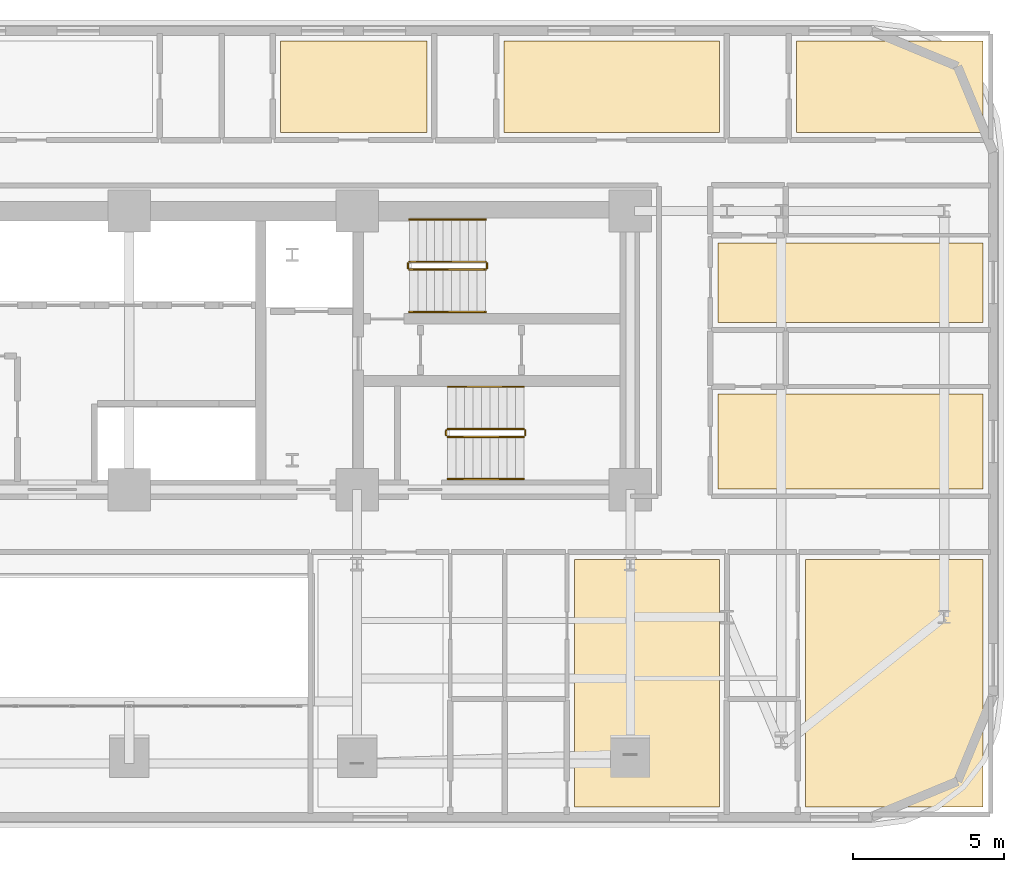
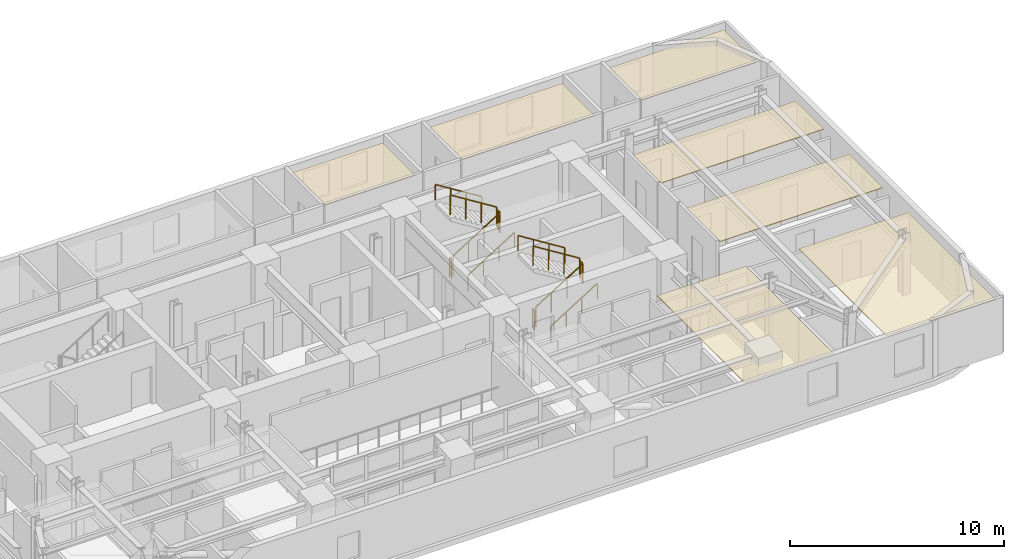
# One storey, part 16 of 16: 12 railings, 7 coverings.
"""IFC4 building model written with IfcOpenShell, lengths in metres."""

from ifc_helpers import new_model, si_unit, direction, frame, origin, origin_2d, place, context, subcontext, project, spatial, polyline, rectangle, outline, extrude, material, layer, layer_set, type_object, element, save


model = new_model("IFC4")

# Units and contexts
model_context = context("Model", 3, precision=1e-05, world=origin(), true_north=direction((0.0, 1.0)))
body_context = subcontext(model_context, "Body", "Model", "MODEL_VIEW")
ifc_project = project(units=[si_unit("LENGTHUNIT", "METRE"), si_unit("AREAUNIT", "SQUARE_METRE"), si_unit("VOLUMEUNIT", "CUBIC_METRE"), si_unit("PLANEANGLEUNIT", "RADIAN"), si_unit("MASSUNIT", "GRAM", prefix="KILO")], contexts=[model_context])

# Site, building, storey
site_placement = place(None, origin())
site = spatial("IfcSite", under=ifc_project, at=site_placement, CompositionType="ELEMENT")
building_placement = place(site_placement, origin())
building = spatial("IfcBuilding", under=site, at=building_placement, Name="Zarnavel Station Tower", CompositionType="ELEMENT")
storey_placement = place(building_placement, frame((0.0, 0.0, 79.300048828125)))
storey = spatial("IfcBuildingStorey", under=building, at=storey_placement, Name="L21", CompositionType="ELEMENT", Elevation=79.300048828125)

# Coverings
ifc_material_1 = material(Name="Perforated Gypsum and Mineral-Wool Acoustic Ceiling", Category="concrete")
ifc_layer = layer(ifc_material_1, 0.0400390625)
ifc_layer_set = layer_set([ifc_layer], Name="COV_CEIL_ACOUSTIC")
covering_type = type_object("IfcCoveringType", Name="COV_CEIL_ACOUSTIC", PredefinedType="CEILING", material=ifc_layer_set)
covering_1_placement = place(storey_placement, frame((0.0, 0.0, 2.919921875)))
element("IfcCovering", 1, at=covering_1_placement, inside=storey, type_object=covering_type, Name="L21 FNE1R Acoustic Ceiling", PredefinedType="CEILING", context=body_context, shape_type="SweptSolid", body=[
    extrude(outline(polyline([(48.300048828125, 27.85009765625), (57.090087890625, 27.85009765625), (57.090087890625, 30.986083984375), (48.300048828125, 30.986083984375), (48.300048828125, 27.85009765625)])), origin(), (0.0, 0.0, 1.0), 0.0400390625),
])
covering_2_placement = place(storey_placement, frame((0.0, 0.0, 2.919921875)))
element("IfcCovering", 2, at=covering_2_placement, inside=storey, type_object=covering_type, Name="L21 FNE2R Acoustic Ceiling", PredefinedType="CEILING", context=body_context, shape_type="SweptSolid", body=[
    extrude(outline(polyline([(48.300048828125, 33.35888671875), (57.090087890625, 33.35888671875), (57.090087890625, 36.0), (48.300048828125, 36.0), (48.300048828125, 33.35888671875)])), origin(), (0.0, 0.0, 1.0), 0.0400390625),
])
covering_3_placement = place(storey_placement, frame((0.0, 0.0, 2.919921875)))
element("IfcCovering", 3, at=covering_3_placement, inside=storey, type_object=covering_type, Name="L21 HN3R Acoustic Ceiling", PredefinedType="CEILING", context=body_context, shape_type="SweptSolid", body=[
    extrude(outline(polyline([(33.804931640625, 39.64990234375), (38.657958984375, 39.64990234375), (38.657958984375, 42.68994140625), (33.804931640625, 42.68994140625), (33.804931640625, 39.64990234375)])), origin(), (0.0, 0.0, 1.0), 0.0400390625),
])
covering_4_placement = place(storey_placement, frame((0.0, 0.0, 2.919921875)))
element("IfcCovering", 4, at=covering_4_placement, inside=storey, type_object=covering_type, Name="L21 HN4R Acoustic Ceiling", PredefinedType="CEILING", context=body_context, shape_type="SweptSolid", body=[
    extrude(outline(polyline([(41.2080078125, 39.64990234375), (48.35009765625, 39.64990234375), (48.35009765625, 42.68994140625), (41.2080078125, 42.68994140625), (41.2080078125, 39.64990234375)])), origin(), (0.0, 0.0, 1.0), 0.0400390625),
])
covering_5_placement = place(storey_placement, frame((0.0, 0.0, 2.919921875)))
element("IfcCovering", 5, at=covering_5_placement, inside=storey, type_object=covering_type, Name="L21 HN5R Acoustic Ceiling", PredefinedType="CEILING", context=body_context, shape_type="SweptSolid", body=[
    extrude(outline(polyline([(50.89990234375, 39.64990234375), (57.090087890625, 39.64990234375), (57.090087890625, 42.68994140625), (50.89990234375, 42.68994140625), (50.89990234375, 39.64990234375)])), origin(), (0.0, 0.0, 1.0), 0.0400390625),
])
covering_6_placement = place(storey_placement, frame((0.0, 0.0, 2.919921875)))
element("IfcCovering", 6, at=covering_6_placement, inside=storey, type_object=covering_type, Name="L21 HE2R Acoustic Ceiling", PredefinedType="CEILING", context=body_context, shape_type="SweptSolid", body=[
    extrude(outline(polyline([(43.551025390625, 17.31005859375), (48.35009765625, 17.31005859375), (48.35009765625, 25.5), (43.551025390625, 25.5), (43.551025390625, 17.31005859375)])), origin(), (0.0, 0.0, 1.0), 0.0400390625),
])
covering_7_placement = place(storey_placement, frame((0.0, 0.0, 2.919921875)))
element("IfcCovering", 7, at=covering_7_placement, inside=storey, type_object=covering_type, Name="L21 HE3R Acoustic Ceiling", PredefinedType="CEILING", context=body_context, shape_type="SweptSolid", body=[
    extrude(outline(polyline([(51.199951171875, 17.31005859375), (57.090087890625, 17.31005859375), (57.090087890625, 25.5), (51.199951171875, 25.5), (51.199951171875, 17.31005859375)])), origin(), (0.0, 0.0, 1.0), 0.0400390625),
])

# Railings
ifc_material_2 = material(Name="Painted Steel S355J2 Balustrade", Category="steel")
railing_type_1 = type_object("IfcRailingType", Name="GR_INT_1150", PredefinedType="GUARDRAIL", material=ifc_material_2)
railing_1_placement = place(storey_placement, frame((38.080078125, 35.110107421875, 0.175048828125)))
element("IfcRailing", 8, at=railing_1_placement, inside=storey, type_object=railing_type_1, Name="L21 ST2 stair guard 1", PredefinedType="GUARDRAIL", context=body_context, shape_type="SweptSolid", body=[
    extrude(rectangle(XDim=0.048095703125, YDim=0.048095703125, at=origin_2d()), frame((0.001708984375, 0.0, 1.126953125), z_axis=(0.848007534815, 0.0, 0.529984170421), x_axis=(0.0, 1.0, 0.0)), (0.0, 0.0, 1.0), 2.9677734375),
    extrude(rectangle(XDim=0.0419921875, YDim=0.0419921875, at=origin_2d()), origin(), (0.0, 0.0, 1.0), 1.101806640625),
    extrude(rectangle(XDim=0.0419921875, YDim=0.0419921875, at=origin_2d()), frame((0.840087890625, 0.0, 0.52490234375)), (0.0, 0.0, 1.0), 1.101806640625),
    extrude(rectangle(XDim=0.0419921875, YDim=0.0419921875, at=origin_2d()), frame((1.679931640625, 0.0, 1.050048828125)), (0.0, 0.0, 1.0), 1.101806640625),
    extrude(rectangle(XDim=0.0419921875, YDim=0.0419921875, at=origin_2d()), frame((2.52001953125, 0.0, 1.574951171875)), (0.0, 0.0, 1.0), 1.101806640625),
])
railing_2_placement = place(storey_placement, frame((40.64990234375, 35.159912109375, 1.75)))
element("IfcRailing", 9, at=railing_2_placement, inside=storey, type_object=railing_type_1, Name="L21 ST2 stair guard 2", PredefinedType="GUARDRAIL", context=body_context, shape_type="SweptSolid", body=[
    extrude(rectangle(XDim=0.048095703125, YDim=0.048095703125, at=origin_2d()), frame((0.0, 0.001953125, 1.1259765625), z_axis=(0.0, 1.0, 0.0), x_axis=(-1.0, 0.0, 0.0)), (0.0, 0.0, 1.0), 0.15625),
    extrude(rectangle(XDim=0.0419921875, YDim=0.0419921875, at=origin_2d()), origin(), (0.0, 0.0, 1.0), 1.101806640625),
    extrude(rectangle(XDim=0.0419921875, YDim=0.0419921875, at=origin_2d()), frame((0.0, 0.16015625, 0.0)), (0.0, 0.0, 1.0), 1.101806640625),
])
railing_3_placement = place(storey_placement, frame((40.60009765625, 35.3701171875, 1.925048828125)))
element("IfcRailing", 10, at=railing_3_placement, inside=storey, type_object=railing_type_1, Name="L21 ST2 stair guard 3", PredefinedType="GUARDRAIL", context=body_context, shape_type="SweptSolid", body=[
    extrude(rectangle(XDim=0.048095703125, YDim=0.048095703125, at=origin_2d()), frame((-0.001708984375, 0.0, 1.126953125), z_axis=(-0.848007534815, 0.0, 0.529984170421), x_axis=(0.0, -1.0, 0.0)), (0.0, 0.0, 1.0), 2.9677734375),
    extrude(rectangle(XDim=0.0419921875, YDim=0.0419921875, at=origin_2d()), origin(), (0.0, 0.0, 1.0), 1.101806640625),
    extrude(rectangle(XDim=0.0419921875, YDim=0.0419921875, at=origin_2d()), frame((-0.840087890625, 0.0, 0.52490234375)), (0.0, 0.0, 1.0), 1.101806640625),
    extrude(rectangle(XDim=0.0419921875, YDim=0.0419921875, at=origin_2d()), frame((-1.679931640625, 0.0, 1.050048828125)), (0.0, 0.0, 1.0), 1.101806640625),
    extrude(rectangle(XDim=0.0419921875, YDim=0.0419921875, at=origin_2d()), frame((-2.52001953125, 0.0, 1.574951171875)), (0.0, 0.0, 1.0), 1.101806640625),
])
railing_4_placement = place(storey_placement, frame((38.030029296875, 35.159912109375, 0.0)))
element("IfcRailing", 11, at=railing_4_placement, inside=storey, type_object=railing_type_1, Name="L21 ST2 stair guard 4", PredefinedType="GUARDRAIL", context=body_context, shape_type="SweptSolid", body=[
    extrude(rectangle(XDim=0.048095703125, YDim=0.048095703125, at=origin_2d()), frame((0.0, 0.001953125, 1.1259765625), z_axis=(0.0, 1.0, 0.0), x_axis=(-1.0, 0.0, 0.0)), (0.0, 0.0, 1.0), 0.15625),
    extrude(rectangle(XDim=0.0419921875, YDim=0.0419921875, at=origin_2d()), origin(), (0.0, 0.0, 1.0), 1.101806640625),
    extrude(rectangle(XDim=0.0419921875, YDim=0.0419921875, at=origin_2d()), frame((0.0, 0.16015625, 0.0)), (0.0, 0.0, 1.0), 1.101806640625),
])
railing_5_placement = place(storey_placement, frame((39.35009765625, 29.570068359375, 0.175048828125)))
element("IfcRailing", 12, at=railing_5_placement, inside=storey, type_object=railing_type_1, Name="L21 ST3 stair guard 1", PredefinedType="GUARDRAIL", context=body_context, shape_type="SweptSolid", body=[
    extrude(rectangle(XDim=0.048095703125, YDim=0.048095703125, at=origin_2d()), frame((0.001708984375, 0.0, 1.126953125), z_axis=(0.848007534815, 0.0, 0.529984170421), x_axis=(0.0, 1.0, 0.0)), (0.0, 0.0, 1.0), 2.9677734375),
    extrude(rectangle(XDim=0.0419921875, YDim=0.0419921875, at=origin_2d()), origin(), (0.0, 0.0, 1.0), 1.101806640625),
    extrude(rectangle(XDim=0.0419921875, YDim=0.0419921875, at=origin_2d()), frame((0.840087890625, 0.0, 0.52490234375)), (0.0, 0.0, 1.0), 1.101806640625),
    extrude(rectangle(XDim=0.0419921875, YDim=0.0419921875, at=origin_2d()), frame((1.679931640625, 0.0, 1.050048828125)), (0.0, 0.0, 1.0), 1.101806640625),
    extrude(rectangle(XDim=0.0419921875, YDim=0.0419921875, at=origin_2d()), frame((2.52001953125, 0.0, 1.574951171875)), (0.0, 0.0, 1.0), 1.101806640625),
])
railing_6_placement = place(storey_placement, frame((41.919921875, 29.6201171875, 1.75)))
element("IfcRailing", 13, at=railing_6_placement, inside=storey, type_object=railing_type_1, Name="L21 ST3 stair guard 2", PredefinedType="GUARDRAIL", context=body_context, shape_type="SweptSolid", body=[
    extrude(rectangle(XDim=0.048095703125, YDim=0.048095703125, at=origin_2d()), frame((0.0, 0.001953125, 1.1259765625), z_axis=(0.0, 1.0, 0.0), x_axis=(-1.0, 0.0, 0.0)), (0.0, 0.0, 1.0), 0.156005859375),
    extrude(rectangle(XDim=0.0419921875, YDim=0.0419921875, at=origin_2d()), origin(), (0.0, 0.0, 1.0), 1.101806640625),
    extrude(rectangle(XDim=0.0419921875, YDim=0.0419921875, at=origin_2d()), frame((0.0, 0.159912109375, 0.0)), (0.0, 0.0, 1.0), 1.101806640625),
])
railing_7_placement = place(storey_placement, frame((41.8701171875, 29.830078125, 1.925048828125)))
element("IfcRailing", 14, at=railing_7_placement, inside=storey, type_object=railing_type_1, Name="L21 ST3 stair guard 3", PredefinedType="GUARDRAIL", context=body_context, shape_type="SweptSolid", body=[
    extrude(rectangle(XDim=0.048095703125, YDim=0.048095703125, at=origin_2d()), frame((-0.001708984375, 0.0, 1.126953125), z_axis=(-0.848007534815, 0.0, 0.529984170421), x_axis=(0.0, -1.0, 0.0)), (0.0, 0.0, 1.0), 2.9677734375),
    extrude(rectangle(XDim=0.0419921875, YDim=0.0419921875, at=origin_2d()), origin(), (0.0, 0.0, 1.0), 1.101806640625),
    extrude(rectangle(XDim=0.0419921875, YDim=0.0419921875, at=origin_2d()), frame((-0.840087890625, 0.0, 0.52490234375)), (0.0, 0.0, 1.0), 1.101806640625),
    extrude(rectangle(XDim=0.0419921875, YDim=0.0419921875, at=origin_2d()), frame((-1.679931640625, 0.0, 1.050048828125)), (0.0, 0.0, 1.0), 1.101806640625),
    extrude(rectangle(XDim=0.0419921875, YDim=0.0419921875, at=origin_2d()), frame((-2.52001953125, 0.0, 1.574951171875)), (0.0, 0.0, 1.0), 1.101806640625),
])
railing_8_placement = place(storey_placement, frame((39.300048828125, 29.6201171875, 0.0)))
element("IfcRailing", 15, at=railing_8_placement, inside=storey, type_object=railing_type_1, Name="L21 ST3 stair guard 4", PredefinedType="GUARDRAIL", context=body_context, shape_type="SweptSolid", body=[
    extrude(rectangle(XDim=0.048095703125, YDim=0.048095703125, at=origin_2d()), frame((0.0, 0.001953125, 1.1259765625), z_axis=(0.0, 1.0, 0.0), x_axis=(-1.0, 0.0, 0.0)), (0.0, 0.0, 1.0), 0.156005859375),
    extrude(rectangle(XDim=0.0419921875, YDim=0.0419921875, at=origin_2d()), origin(), (0.0, 0.0, 1.0), 1.101806640625),
    extrude(rectangle(XDim=0.0419921875, YDim=0.0419921875, at=origin_2d()), frame((0.0, 0.159912109375, 0.0)), (0.0, 0.0, 1.0), 1.101806640625),
])
ifc_material_3 = material(Name="Brushed Stainless Steel S355J2 Handrail", Category="steel")
railing_type_2 = type_object("IfcRailingType", Name="HR_STAIR_900", PredefinedType="HANDRAIL", material=ifc_material_3)
railing_9_placement = place(storey_placement, frame((38.080078125, 33.7099609375, 0.175048828125)))
element("IfcRailing", 16, at=railing_9_placement, inside=storey, type_object=railing_type_2, Name="L21 ST2 stair handrail 1", PredefinedType="HANDRAIL", context=body_context, shape_type="SweptSolid", body=[
    extrude(rectangle(XDim=0.048095703125, YDim=0.048095703125, at=origin_2d()), frame((0.001708984375, 0.0, 0.876953125), z_axis=(0.848007534815, 0.0, 0.529984170421), x_axis=(0.0, 1.0, 0.0)), (0.0, 0.0, 1.0), 2.9677734375),
    extrude(rectangle(XDim=0.0419921875, YDim=0.0419921875, at=origin_2d()), origin(), (0.0, 0.0, 1.0), 0.851806640625),
    extrude(rectangle(XDim=0.0419921875, YDim=0.0419921875, at=origin_2d()), frame((0.840087890625, 0.0, 0.52490234375)), (0.0, 0.0, 1.0), 0.851806640625),
    extrude(rectangle(XDim=0.0419921875, YDim=0.0419921875, at=origin_2d()), frame((1.679931640625, 0.0, 1.050048828125)), (0.0, 0.0, 1.0), 0.851806640625),
    extrude(rectangle(XDim=0.0419921875, YDim=0.0419921875, at=origin_2d()), frame((2.52001953125, 0.0, 1.574951171875)), (0.0, 0.0, 1.0), 0.851806640625),
])
railing_10_placement = place(storey_placement, frame((40.60009765625, 36.77001953125, 1.925048828125)))
element("IfcRailing", 17, at=railing_10_placement, inside=storey, type_object=railing_type_2, Name="L21 ST2 stair handrail 2", PredefinedType="HANDRAIL", context=body_context, shape_type="SweptSolid", body=[
    extrude(rectangle(XDim=0.048095703125, YDim=0.048095703125, at=origin_2d()), frame((-0.001708984375, 0.0, 0.876953125), z_axis=(-0.848007534815, 0.0, 0.529984170421), x_axis=(0.0, -1.0, 0.0)), (0.0, 0.0, 1.0), 2.9677734375),
    extrude(rectangle(XDim=0.0419921875, YDim=0.0419921875, at=origin_2d()), origin(), (0.0, 0.0, 1.0), 0.851806640625),
    extrude(rectangle(XDim=0.0419921875, YDim=0.0419921875, at=origin_2d()), frame((-0.840087890625, 0.0, 0.52490234375)), (0.0, 0.0, 1.0), 0.851806640625),
    extrude(rectangle(XDim=0.0419921875, YDim=0.0419921875, at=origin_2d()), frame((-1.679931640625, 0.0, 1.050048828125)), (0.0, 0.0, 1.0), 0.851806640625),
    extrude(rectangle(XDim=0.0419921875, YDim=0.0419921875, at=origin_2d()), frame((-2.52001953125, 0.0, 1.574951171875)), (0.0, 0.0, 1.0), 0.851806640625),
])
railing_11_placement = place(storey_placement, frame((39.35009765625, 28.169921875, 0.175048828125)))
element("IfcRailing", 18, at=railing_11_placement, inside=storey, type_object=railing_type_2, Name="L21 ST3 stair handrail 1", PredefinedType="HANDRAIL", context=body_context, shape_type="SweptSolid", body=[
    extrude(rectangle(XDim=0.048095703125, YDim=0.048095703125, at=origin_2d()), frame((0.001708984375, 0.0, 0.876953125), z_axis=(0.848007534815, 0.0, 0.529984170421), x_axis=(0.0, 1.0, 0.0)), (0.0, 0.0, 1.0), 2.9677734375),
    extrude(rectangle(XDim=0.0419921875, YDim=0.0419921875, at=origin_2d()), origin(), (0.0, 0.0, 1.0), 0.851806640625),
    extrude(rectangle(XDim=0.0419921875, YDim=0.0419921875, at=origin_2d()), frame((0.840087890625, 0.0, 0.52490234375)), (0.0, 0.0, 1.0), 0.851806640625),
    extrude(rectangle(XDim=0.0419921875, YDim=0.0419921875, at=origin_2d()), frame((1.679931640625, 0.0, 1.050048828125)), (0.0, 0.0, 1.0), 0.851806640625),
    extrude(rectangle(XDim=0.0419921875, YDim=0.0419921875, at=origin_2d()), frame((2.52001953125, 0.0, 1.574951171875)), (0.0, 0.0, 1.0), 0.851806640625),
])
railing_12_placement = place(storey_placement, frame((41.8701171875, 31.22998046875, 1.925048828125)))
element("IfcRailing", 19, at=railing_12_placement, inside=storey, type_object=railing_type_2, Name="L21 ST3 stair handrail 2", PredefinedType="HANDRAIL", context=body_context, shape_type="SweptSolid", body=[
    extrude(rectangle(XDim=0.048095703125, YDim=0.048095703125, at=origin_2d()), frame((-0.001708984375, 0.0, 0.876953125), z_axis=(-0.848007534815, 0.0, 0.529984170421), x_axis=(0.0, -1.0, 0.0)), (0.0, 0.0, 1.0), 2.9677734375),
    extrude(rectangle(XDim=0.0419921875, YDim=0.0419921875, at=origin_2d()), origin(), (0.0, 0.0, 1.0), 0.851806640625),
    extrude(rectangle(XDim=0.0419921875, YDim=0.0419921875, at=origin_2d()), frame((-0.840087890625, 0.0, 0.52490234375)), (0.0, 0.0, 1.0), 0.851806640625),
    extrude(rectangle(XDim=0.0419921875, YDim=0.0419921875, at=origin_2d()), frame((-1.679931640625, 0.0, 1.050048828125)), (0.0, 0.0, 1.0), 0.851806640625),
    extrude(rectangle(XDim=0.0419921875, YDim=0.0419921875, at=origin_2d()), frame((-2.52001953125, 0.0, 1.574951171875)), (0.0, 0.0, 1.0), 0.851806640625),
])

save(model, "model.ifc")
